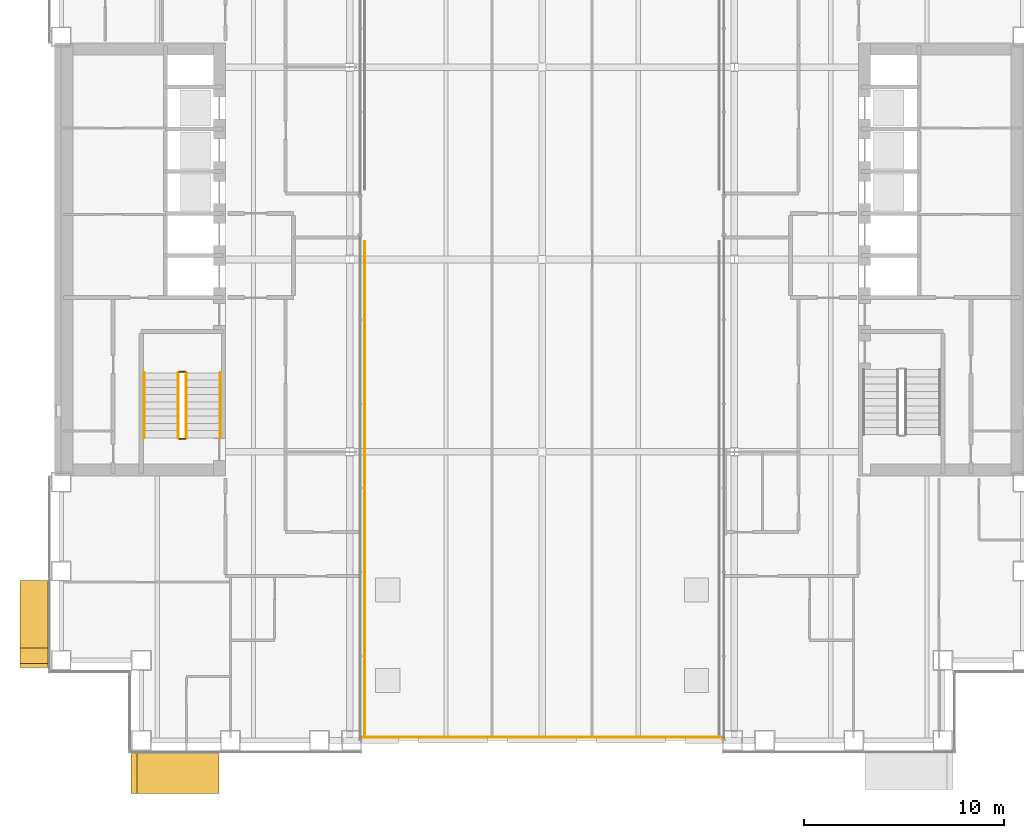
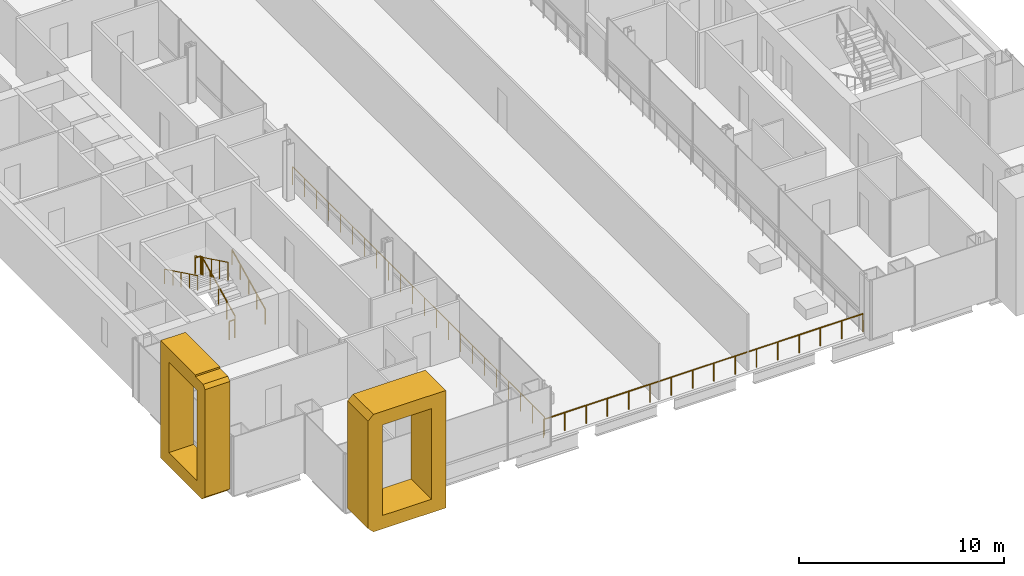
# One storey, part 21 of 24: 8 railings, 2 coverings.
"""IFC4 building model written with IfcOpenShell, lengths in metres."""

from ifc_helpers import new_model, si_unit, direction, frame, origin, origin_2d, place, context, subcontext, project, spatial, polyline, circle, outline, extrude, material, type_object, element, save


model = new_model("IFC4")

# Units and contexts
model_context = context("Model", 3, precision=1e-05, world=origin(), true_north=direction((0.0, 1.0)))
body_context = subcontext(model_context, "Body", "Model", "MODEL_VIEW")
ifc_project = project(units=[si_unit("LENGTHUNIT", "METRE"), si_unit("AREAUNIT", "SQUARE_METRE"), si_unit("VOLUMEUNIT", "CUBIC_METRE"), si_unit("PLANEANGLEUNIT", "RADIAN"), si_unit("MASSUNIT", "GRAM", prefix="KILO")], contexts=[model_context])

# Site, building, storey
site_placement = place(None, origin())
site = spatial("IfcSite", under=ifc_project, at=site_placement, CompositionType="ELEMENT")
building_placement = place(site_placement, origin())
building = spatial("IfcBuilding", under=site, at=building_placement, Name="Cobrizo Arcos Hotel Tower", CompositionType="ELEMENT")
storey_placement = place(building_placement, frame((0.0, 0.0, 60.0)))
storey = spatial("IfcBuildingStorey", under=building, at=storey_placement, Name="L13", CompositionType="ELEMENT", Elevation=60.0)

# Coverings
ifc_material_1 = material(Name="Aluminium 6063-T6 anodised bronze", Category="aluminium")
covering_type_1 = type_object("IfcCoveringType", Name="FIN-F 1400", PredefinedType="CLADDING", material=ifc_material_1)
covering_1_placement = place(storey_placement, frame((-24.64990234375, -16.00830078125, 0.0), z_axis=(-1.0, 0.0, 0.0), x_axis=(0.0, -1.0, 0.0)))
element("IfcCovering", 1, at=covering_1_placement, inside=storey, type_object=covering_type_1, Name="Fin frame 76", PredefinedType="CLADDING", context=body_context, shape_type="SweptSolid", body=[
    extrude(outline(polyline([(4.341796875, 6.699951171875), (4.143798828125, 6.89794921875), (3.3896484375, 6.89794921875), (3.3896484375, 7.0), (0.0, 7.0), (0.0, 0.0), (4.041748046875, 0.0), (4.341796875, 0.300048828125), (4.341796875, 6.699951171875)]), holes=[polyline([(3.541748046875, 0.800048828125), (0.800048828125, 0.800048828125), (0.800048828125, 6.199951171875), (3.541748046875, 6.199951171875), (3.541748046875, 0.800048828125)])]), origin(), (0.0, 0.0, 1.0), 1.400146484375),
])
covering_type_2 = type_object("IfcCoveringType", Name="FIN-F 2000", PredefinedType="CLADDING", material=ifc_material_1)
covering_2_placement = place(storey_placement, frame((-20.5, -24.64990234375, 0.0), z_axis=(0.0, -1.0, 0.0), x_axis=(1.0, 0.0, 0.0)))
element("IfcCovering", 2, at=covering_2_placement, inside=storey, type_object=covering_type_2, Name="Fin frame 55", PredefinedType="CLADDING", context=body_context, shape_type="SweptSolid", body=[
    extrude(outline(polyline([(0.0, 0.300048828125), (0.300048828125, 0.0), (4.375, 0.0), (4.375, 7.0), (0.300048828125, 7.0), (0.0, 6.699951171875), (0.0, 0.300048828125)]), holes=[polyline([(3.574951171875, 0.800048828125), (0.800048828125, 0.800048828125), (0.800048828125, 6.199951171875), (3.574951171875, 6.199951171875), (3.574951171875, 0.800048828125)])]), origin(), (0.0, 0.0, 1.0), 2.0),
])

# Railings
ifc_material_2 = material(Name="Stainless steel railing", Category="steel")
railing_type_1 = type_object("IfcRailingType", Name="Garden deck guard 1100", PredefinedType="GUARDRAIL", material=ifc_material_2)
railing_1_placement = place(storey_placement, frame((-9.0, -23.85009765625, 0.0)))
element("IfcRailing", 3, at=railing_1_placement, inside=storey, type_object=railing_type_1, Name="Garden deck south guard", PredefinedType="GUARDRAIL", context=body_context, shape_type="SweptSolid", body=[
    extrude(circle(Radius=0.02392578125, at=origin_2d()), frame((0.0, 0.0, 1.076171875), z_axis=(1.0, 0.0, 0.0), x_axis=(0.0, 1.0, 0.0)), (0.0, 0.0, 1.0), 18.0),
    extrude(circle(Radius=0.02099609375, at=origin_2d()), origin(), (0.0, 0.0, 1.0), 1.052001953125),
    extrude(circle(Radius=0.02099609375, at=origin_2d()), frame((1.199951171875, 0.0, 0.0)), (0.0, 0.0, 1.0), 1.052001953125),
    extrude(circle(Radius=0.02099609375, at=origin_2d()), frame((2.39990234375, 0.0, 0.0)), (0.0, 0.0, 1.0), 1.052001953125),
    extrude(circle(Radius=0.02099609375, at=origin_2d()), frame((3.60009765625, 0.0, 0.0)), (0.0, 0.0, 1.0), 1.052001953125),
    extrude(circle(Radius=0.02099609375, at=origin_2d()), frame((4.800048828125, 0.0, 0.0)), (0.0, 0.0, 1.0), 1.052001953125),
    extrude(circle(Radius=0.02099609375, at=origin_2d()), frame((6.0, 0.0, 0.0)), (0.0, 0.0, 1.0), 1.052001953125),
    extrude(circle(Radius=0.02099609375, at=origin_2d()), frame((7.199951171875, 0.0, 0.0)), (0.0, 0.0, 1.0), 1.052001953125),
    extrude(circle(Radius=0.02099609375, at=origin_2d()), frame((8.39990234375, 0.0, 0.0)), (0.0, 0.0, 1.0), 1.052001953125),
    extrude(circle(Radius=0.02099609375, at=origin_2d()), frame((9.60009765625, 0.0, 0.0)), (0.0, 0.0, 1.0), 1.052001953125),
    extrude(circle(Radius=0.02099609375, at=origin_2d()), frame((10.800048828125, 0.0, 0.0)), (0.0, 0.0, 1.0), 1.052001953125),
    extrude(circle(Radius=0.02099609375, at=origin_2d()), frame((12.0, 0.0, 0.0)), (0.0, 0.0, 1.0), 1.052001953125),
    extrude(circle(Radius=0.02099609375, at=origin_2d()), frame((13.199951171875, 0.0, 0.0)), (0.0, 0.0, 1.0), 1.052001953125),
    extrude(circle(Radius=0.02099609375, at=origin_2d()), frame((14.39990234375, 0.0, 0.0)), (0.0, 0.0, 1.0), 1.052001953125),
    extrude(circle(Radius=0.02099609375, at=origin_2d()), frame((15.60009765625, 0.0, 0.0)), (0.0, 0.0, 1.0), 1.052001953125),
    extrude(circle(Radius=0.02099609375, at=origin_2d()), frame((16.800048828125, 0.0, 0.0)), (0.0, 0.0, 1.0), 1.052001953125),
    extrude(circle(Radius=0.02099609375, at=origin_2d()), frame((18.0, 0.0, 0.0)), (0.0, 0.0, 1.0), 1.052001953125),
])
railing_2_placement = place(storey_placement, frame((-8.85009765625, -23.699951171875, 0.0)))
element("IfcRailing", 4, at=railing_2_placement, inside=storey, type_object=railing_type_1, Name="Garden deck west guard", PredefinedType="GUARDRAIL", context=body_context, shape_type="SweptSolid", body=[
    extrude(circle(Radius=0.02392578125, at=origin_2d()), frame((0.0, 0.0, 1.076171875), z_axis=(0.0, 1.0, 0.0), x_axis=(-1.0, 0.0, 0.0)), (0.0, 0.0, 1.0), 24.599853515625),
    extrude(circle(Radius=0.02099609375, at=origin_2d()), origin(), (0.0, 0.0, 1.0), 1.052001953125),
    extrude(circle(Radius=0.02099609375, at=origin_2d()), frame((0.0, 1.17138671875, 0.0)), (0.0, 0.0, 1.0), 1.052001953125),
    extrude(circle(Radius=0.02099609375, at=origin_2d()), frame((0.0, 2.3427734375, 0.0)), (0.0, 0.0, 1.0), 1.052001953125),
    extrude(circle(Radius=0.02099609375, at=origin_2d()), frame((0.0, 3.51416015625, 0.0)), (0.0, 0.0, 1.0), 1.052001953125),
    extrude(circle(Radius=0.02099609375, at=origin_2d()), frame((0.0, 4.685791015625, 0.0)), (0.0, 0.0, 1.0), 1.052001953125),
    extrude(circle(Radius=0.02099609375, at=origin_2d()), frame((0.0, 5.857177734375, 0.0)), (0.0, 0.0, 1.0), 1.052001953125),
    extrude(circle(Radius=0.02099609375, at=origin_2d()), frame((0.0, 7.028564453125, 0.0)), (0.0, 0.0, 1.0), 1.052001953125),
    extrude(circle(Radius=0.02099609375, at=origin_2d()), frame((0.0, 8.199951171875, 0.0)), (0.0, 0.0, 1.0), 1.052001953125),
    extrude(circle(Radius=0.02099609375, at=origin_2d()), frame((0.0, 9.371337890625, 0.0)), (0.0, 0.0, 1.0), 1.052001953125),
    extrude(circle(Radius=0.02099609375, at=origin_2d()), frame((0.0, 10.542724609375, 0.0)), (0.0, 0.0, 1.0), 1.052001953125),
    extrude(circle(Radius=0.02099609375, at=origin_2d()), frame((0.0, 11.714111328125, 0.0)), (0.0, 0.0, 1.0), 1.052001953125),
    extrude(circle(Radius=0.02099609375, at=origin_2d()), frame((0.0, 12.8857421875, 0.0)), (0.0, 0.0, 1.0), 1.052001953125),
    extrude(circle(Radius=0.02099609375, at=origin_2d()), frame((0.0, 14.05712890625, 0.0)), (0.0, 0.0, 1.0), 1.052001953125),
    extrude(circle(Radius=0.02099609375, at=origin_2d()), frame((0.0, 15.228515625, 0.0)), (0.0, 0.0, 1.0), 1.052001953125),
    extrude(circle(Radius=0.02099609375, at=origin_2d()), frame((0.0, 16.39990234375, 0.0)), (0.0, 0.0, 1.0), 1.052001953125),
    extrude(circle(Radius=0.02099609375, at=origin_2d()), frame((0.0, 17.5712890625, 0.0)), (0.0, 0.0, 1.0), 1.052001953125),
    extrude(circle(Radius=0.02099609375, at=origin_2d()), frame((0.0, 18.74267578125, 0.0)), (0.0, 0.0, 1.0), 1.052001953125),
    extrude(circle(Radius=0.02099609375, at=origin_2d()), frame((0.0, 19.9140625, 0.0)), (0.0, 0.0, 1.0), 1.052001953125),
    extrude(circle(Radius=0.02099609375, at=origin_2d()), frame((0.0, 21.085693359375, 0.0)), (0.0, 0.0, 1.0), 1.052001953125),
    extrude(circle(Radius=0.02099609375, at=origin_2d()), frame((0.0, 22.257080078125, 0.0)), (0.0, 0.0, 1.0), 1.052001953125),
    extrude(circle(Radius=0.02099609375, at=origin_2d()), frame((0.0, 23.428466796875, 0.0)), (0.0, 0.0, 1.0), 1.052001953125),
    extrude(circle(Radius=0.02099609375, at=origin_2d()), frame((0.0, 24.599853515625, 0.0)), (0.0, 0.0, 1.0), 1.052001953125),
])
railing_type_2 = type_object("IfcRailingType", Name="Stair guard 1100", PredefinedType="GUARDRAIL", material=ifc_material_2)
railing_3_placement = place(storey_placement, frame((-17.75, -8.89990234375, 0.175048828125)))
element("IfcRailing", 5, at=railing_3_placement, inside=storey, type_object=railing_type_2, Name="L13 ST-W stair guard 1", PredefinedType="GUARDRAIL", context=body_context, shape_type="SweptSolid", body=[
    extrude(circle(Radius=0.02392578125, at=origin_2d()), frame((0.0, 0.0, 1.076171875), z_axis=(0.0, 0.899372665325, 0.437182809435), x_axis=(-1.0, 0.0, 0.0)), (0.0, 0.0, 1.0), 3.6025390625),
    extrude(circle(Radius=0.02099609375, at=origin_2d()), origin(), (0.0, 0.0, 1.0), 1.052001953125),
    extrude(circle(Radius=0.02099609375, at=origin_2d()), frame((0.0, 0.81005859375, 0.393798828125)), (0.0, 0.0, 1.0), 1.052001953125),
    extrude(circle(Radius=0.02099609375, at=origin_2d()), frame((0.0, 1.6201171875, 0.78759765625)), (0.0, 0.0, 1.0), 1.052001953125),
    extrude(circle(Radius=0.02099609375, at=origin_2d()), frame((0.0, 2.429931640625, 1.18115234375)), (0.0, 0.0, 1.0), 1.052001953125),
    extrude(circle(Radius=0.02099609375, at=origin_2d()), frame((0.0, 3.239990234375, 1.574951171875)), (0.0, 0.0, 1.0), 1.052001953125),
])
railing_4_placement = place(storey_placement, frame((-17.800048828125, -5.610107421875, 1.75)))
element("IfcRailing", 6, at=railing_4_placement, inside=storey, type_object=railing_type_2, Name="L13 ST-W stair guard 2", PredefinedType="GUARDRAIL", context=body_context, shape_type="SweptSolid", body=[
    extrude(circle(Radius=0.02392578125, at=origin_2d()), frame((0.0, 0.0, 1.076171875), z_axis=(-1.0, 0.0, 0.0), x_axis=(0.0, -1.0, 0.0)), (0.0, 0.0, 1.0), 0.300048828125),
    extrude(circle(Radius=0.02099609375, at=origin_2d()), origin(), (0.0, 0.0, 1.0), 1.052001953125),
    extrude(circle(Radius=0.02099609375, at=origin_2d()), frame((-0.300048828125, 0.0, 0.0)), (0.0, 0.0, 1.0), 1.052001953125),
])
railing_5_placement = place(storey_placement, frame((-18.14990234375, -5.659912109375, 1.925048828125)))
element("IfcRailing", 7, at=railing_5_placement, inside=storey, type_object=railing_type_2, Name="L13 ST-W stair guard 3", PredefinedType="GUARDRAIL", context=body_context, shape_type="SweptSolid", body=[
    extrude(circle(Radius=0.02392578125, at=origin_2d()), frame((0.0, 0.0, 1.076171875), z_axis=(0.0, -0.899372665325, 0.437182809435), x_axis=(1.0, 0.0, 0.0)), (0.0, 0.0, 1.0), 3.6025390625),
    extrude(circle(Radius=0.02099609375, at=origin_2d()), origin(), (0.0, 0.0, 1.0), 1.052001953125),
    extrude(circle(Radius=0.02099609375, at=origin_2d()), frame((0.0, -0.81005859375, 0.393798828125)), (0.0, 0.0, 1.0), 1.052001953125),
    extrude(circle(Radius=0.02099609375, at=origin_2d()), frame((0.0, -1.6201171875, 0.78759765625)), (0.0, 0.0, 1.0), 1.052001953125),
    extrude(circle(Radius=0.02099609375, at=origin_2d()), frame((0.0, -2.429931640625, 1.18115234375)), (0.0, 0.0, 1.0), 1.052001953125),
    extrude(circle(Radius=0.02099609375, at=origin_2d()), frame((0.0, -3.239990234375, 1.574951171875)), (0.0, 0.0, 1.0), 1.052001953125),
])
railing_6_placement = place(storey_placement, frame((-17.800048828125, -8.949951171875, 0.0)))
element("IfcRailing", 8, at=railing_6_placement, inside=storey, type_object=railing_type_2, Name="L13 ST-W stair guard 4", PredefinedType="GUARDRAIL", context=body_context, shape_type="SweptSolid", body=[
    extrude(circle(Radius=0.02392578125, at=origin_2d()), frame((0.0, 0.0, 1.076171875), z_axis=(-1.0, 0.0, 0.0), x_axis=(0.0, -1.0, 0.0)), (0.0, 0.0, 1.0), 0.300048828125),
    extrude(circle(Radius=0.02099609375, at=origin_2d()), origin(), (0.0, 0.0, 1.0), 1.052001953125),
    extrude(circle(Radius=0.02099609375, at=origin_2d()), frame((-0.300048828125, 0.0, 0.0)), (0.0, 0.0, 1.0), 1.052001953125),
])
railing_type_3 = type_object("IfcRailingType", Name="Stair handrail", PredefinedType="HANDRAIL", material=ifc_material_2)
railing_7_placement = place(storey_placement, frame((-16.050048828125, -8.89990234375, 0.175048828125)))
element("IfcRailing", 9, at=railing_7_placement, inside=storey, type_object=railing_type_3, Name="L13 ST-W stair handrail 1", PredefinedType="HANDRAIL", context=body_context, shape_type="SweptSolid", body=[
    extrude(circle(Radius=0.02392578125, at=origin_2d()), frame((0.0, 0.0, 0.8759765625), z_axis=(0.0, 0.899372665325, 0.437182809435), x_axis=(-1.0, 0.0, 0.0)), (0.0, 0.0, 1.0), 3.6025390625),
    extrude(circle(Radius=0.02099609375, at=origin_2d()), origin(), (0.0, 0.0, 1.0), 0.851806640625),
    extrude(circle(Radius=0.02099609375, at=origin_2d()), frame((0.0, 0.81005859375, 0.393798828125)), (0.0, 0.0, 1.0), 0.851806640625),
    extrude(circle(Radius=0.02099609375, at=origin_2d()), frame((0.0, 1.6201171875, 0.78759765625)), (0.0, 0.0, 1.0), 0.851806640625),
    extrude(circle(Radius=0.02099609375, at=origin_2d()), frame((0.0, 2.429931640625, 1.18115234375)), (0.0, 0.0, 1.0), 0.851806640625),
    extrude(circle(Radius=0.02099609375, at=origin_2d()), frame((0.0, 3.239990234375, 1.574951171875)), (0.0, 0.0, 1.0), 0.851806640625),
])
railing_8_placement = place(storey_placement, frame((-19.85009765625, -5.659912109375, 1.925048828125)))
element("IfcRailing", 10, at=railing_8_placement, inside=storey, type_object=railing_type_3, Name="L13 ST-W stair handrail 2", PredefinedType="HANDRAIL", context=body_context, shape_type="SweptSolid", body=[
    extrude(circle(Radius=0.02392578125, at=origin_2d()), frame((0.0, 0.0, 0.8759765625), z_axis=(0.0, -0.899372665325, 0.437182809435), x_axis=(1.0, 0.0, 0.0)), (0.0, 0.0, 1.0), 3.6025390625),
    extrude(circle(Radius=0.02099609375, at=origin_2d()), origin(), (0.0, 0.0, 1.0), 0.851806640625),
    extrude(circle(Radius=0.02099609375, at=origin_2d()), frame((0.0, -0.81005859375, 0.393798828125)), (0.0, 0.0, 1.0), 0.851806640625),
    extrude(circle(Radius=0.02099609375, at=origin_2d()), frame((0.0, -1.6201171875, 0.78759765625)), (0.0, 0.0, 1.0), 0.851806640625),
    extrude(circle(Radius=0.02099609375, at=origin_2d()), frame((0.0, -2.429931640625, 1.18115234375)), (0.0, 0.0, 1.0), 0.851806640625),
    extrude(circle(Radius=0.02099609375, at=origin_2d()), frame((0.0, -3.239990234375, 1.574951171875)), (0.0, 0.0, 1.0), 0.851806640625),
])

save(model, "model.ifc")
